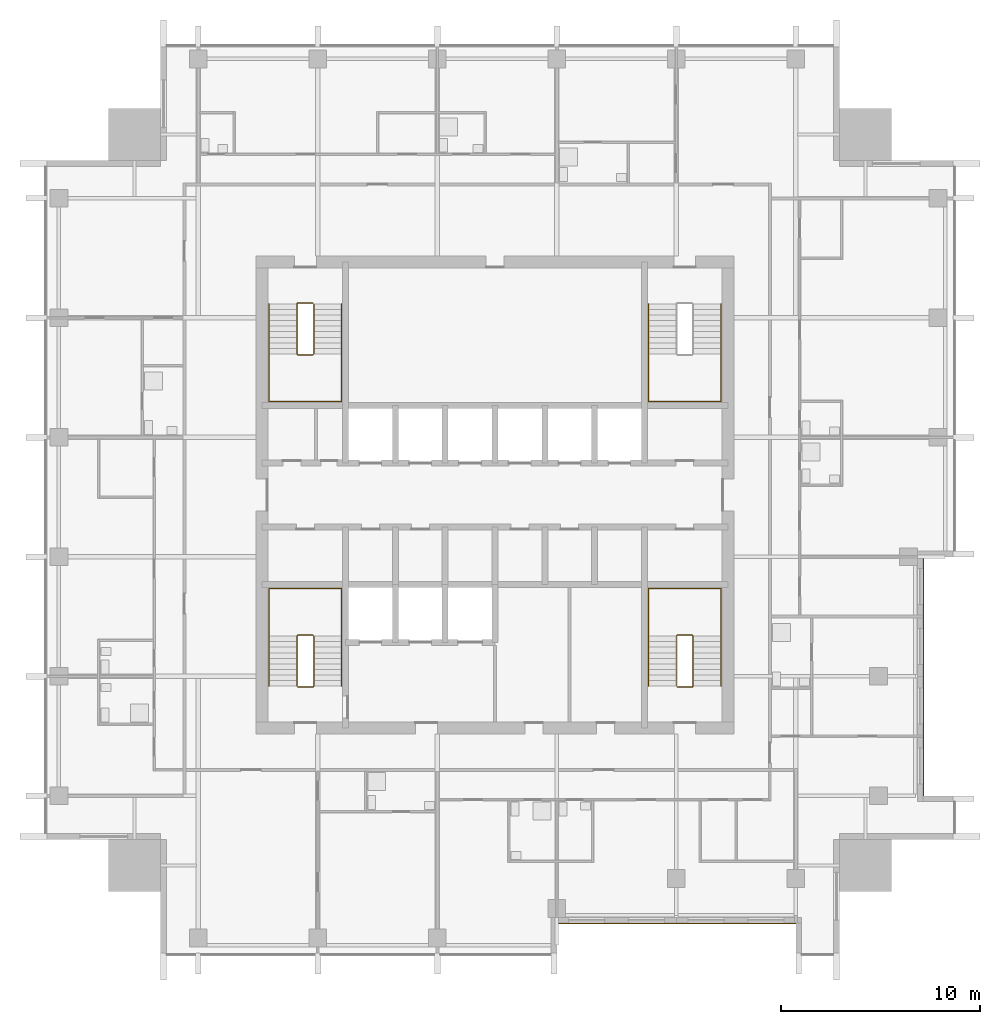
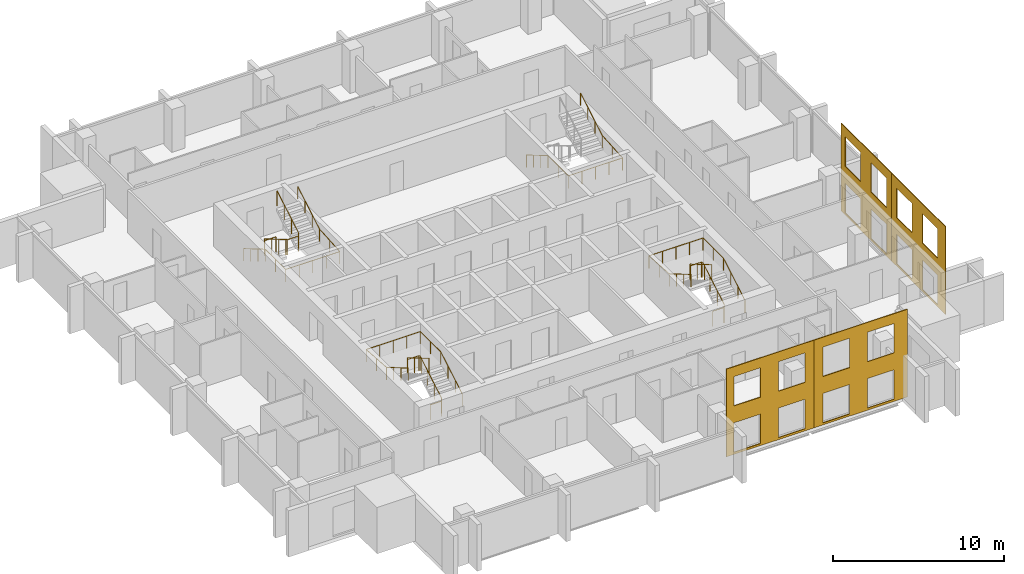
# One storey, part 9 of 11: 7 railings, 4 coverings.
"""IFC4 building model written with IfcOpenShell, lengths in metres."""

from ifc_helpers import new_model, si_unit, direction, frame, origin, origin_2d, place, context, subcontext, project, spatial, polyline, circle, outline, extrude, material, layer, layer_set, type_object, element, save


model = new_model("IFC4")

# Units and contexts
model_context = context("Model", 3, precision=1e-05, world=origin(), true_north=direction((0.0, 1.0)))
body_context = subcontext(model_context, "Body", "Model", "MODEL_VIEW")
ifc_project = project(units=[si_unit("LENGTHUNIT", "METRE"), si_unit("AREAUNIT", "SQUARE_METRE"), si_unit("VOLUMEUNIT", "CUBIC_METRE"), si_unit("PLANEANGLEUNIT", "RADIAN"), si_unit("MASSUNIT", "GRAM", prefix="KILO")], contexts=[model_context])

# Site, building, storey
site_placement = place(None, origin())
site = spatial("IfcSite", under=ifc_project, at=site_placement, CompositionType="ELEMENT")
building_placement = place(site_placement, origin())
building = spatial("IfcBuilding", under=site, at=building_placement, Name="Amberfall Residences", CompositionType="ELEMENT")
storey_placement = place(building_placement, frame((0.0, 0.0, 223.300048828125)))
storey = spatial("IfcBuildingStorey", under=building, at=storey_placement, Name="L60", CompositionType="ELEMENT", Elevation=223.300048828125)

# Coverings
ifc_material_1 = material(Name="Pale limestone cladding", Category="masonry")
ifc_layer = layer(ifc_material_1, 0.050048828125)
ifc_layer_set = layer_set([ifc_layer], Name="Limestone fascia 50")
covering_type = type_object("IfcCoveringType", Name="Limestone fascia 50", PredefinedType="CLADDING", material=ifc_layer_set)
covering_1_placement = place(storey_placement, frame((83.60009765625, 24.0, 6.25), z_axis=(0.0, 1.0, 0.0), x_axis=(1.0, 0.0, 0.0)))
element("IfcCovering", 1, at=covering_1_placement, inside=storey, type_object=covering_type, Name="Pale limestone cladding L60-L61 S", PredefinedType="CLADDING", context=body_context, shape_type="SweptSolid", body=[
    extrude(outline(polyline([(0.0, 0.0), (6.2998046875, 0.0), (6.2998046875, 6.25), (0.0, 6.25), (0.0, 0.0)]), holes=[polyline([(0.599853515625, 4.0), (2.39990234375, 4.0), (2.39990234375, 6.10009765625), (0.599853515625, 6.10009765625), (0.599853515625, 4.0)]), polyline([(3.599853515625, 4.0), (5.39990234375, 4.0), (5.39990234375, 6.10009765625), (3.599853515625, 6.10009765625), (3.599853515625, 4.0)]), polyline([(0.599853515625, 0.699951171875), (2.39990234375, 0.699951171875), (2.39990234375, 2.800048828125), (0.599853515625, 2.800048828125), (0.599853515625, 0.699951171875)]), polyline([(3.599853515625, 0.699951171875), (5.39990234375, 0.699951171875), (5.39990234375, 2.800048828125), (3.599853515625, 2.800048828125), (3.599853515625, 0.699951171875)])]), origin(), (0.0, 0.0, -1.0), 0.050048828125),
])
covering_2_placement = place(storey_placement, frame((96.0, 30.10009765625, 6.25), z_axis=(-1.0, 0.0, 0.0), x_axis=(0.0, 1.0, 0.0)))
element("IfcCovering", 2, at=covering_2_placement, inside=storey, type_object=covering_type, Name="Pale limestone cladding L60-L61 E", PredefinedType="CLADDING", context=body_context, shape_type="SweptSolid", body=[
    extrude(outline(polyline([(0.0, 0.0), (6.2998046875, 0.0), (6.2998046875, 6.25), (0.0, 6.25), (0.0, 0.0)]), holes=[polyline([(0.89990234375, 4.0), (2.699951171875, 4.0), (2.699951171875, 6.10009765625), (0.89990234375, 6.10009765625), (0.89990234375, 4.0)]), polyline([(3.89990234375, 4.0), (5.699951171875, 4.0), (5.699951171875, 6.10009765625), (3.89990234375, 6.10009765625), (3.89990234375, 4.0)]), polyline([(0.89990234375, 0.699951171875), (2.699951171875, 0.699951171875), (2.699951171875, 2.800048828125), (0.89990234375, 2.800048828125), (0.89990234375, 0.699951171875)]), polyline([(3.89990234375, 0.699951171875), (5.699951171875, 0.699951171875), (5.699951171875, 2.800048828125), (3.89990234375, 2.800048828125), (3.89990234375, 0.699951171875)])]), origin(), (0.0, 0.0, -1.0), 0.050048828125),
])
covering_3_placement = place(storey_placement, frame((77.68994140625, 24.0, 6.25), z_axis=(0.0, 1.0, 0.0), x_axis=(1.0, 0.0, 0.0)))
element("IfcCovering", 3, at=covering_3_placement, inside=storey, type_object=covering_type, Name="Pale limestone cladding L60-L61 S", PredefinedType="CLADDING", context=body_context, shape_type="SweptSolid", body=[
    extrude(outline(polyline([(0.0, 0.0), (5.91015625, 0.0), (5.91015625, 6.25), (0.0, 6.25), (0.0, 0.0)]), holes=[polyline([(0.510009765625, 4.0), (2.31005859375, 4.0), (2.31005859375, 6.10009765625), (0.510009765625, 6.10009765625), (0.510009765625, 4.0)]), polyline([(3.510009765625, 4.0), (5.31005859375, 4.0), (5.31005859375, 6.10009765625), (3.510009765625, 6.10009765625), (3.510009765625, 4.0)]), polyline([(0.510009765625, 0.699951171875), (2.31005859375, 0.699951171875), (2.31005859375, 2.800048828125), (0.510009765625, 2.800048828125), (0.510009765625, 0.699951171875)]), polyline([(3.510009765625, 0.699951171875), (5.31005859375, 0.699951171875), (5.31005859375, 2.800048828125), (3.510009765625, 2.800048828125), (3.510009765625, 0.699951171875)])]), origin(), (0.0, 0.0, -1.0), 0.050048828125),
])
covering_4_placement = place(storey_placement, frame((96.0, 36.39990234375, 6.25), z_axis=(-1.0, 0.0, 0.0), x_axis=(0.0, 1.0, 0.0)))
element("IfcCovering", 4, at=covering_4_placement, inside=storey, type_object=covering_type, Name="Pale limestone cladding L60-L61 E", PredefinedType="CLADDING", context=body_context, shape_type="SweptSolid", body=[
    extrude(outline(polyline([(0.0, 0.0), (5.91015625, 0.0), (5.91015625, 6.25), (0.0, 6.25), (0.0, 0.0)]), holes=[polyline([(0.60009765625, 4.0), (2.400146484375, 4.0), (2.400146484375, 6.10009765625), (0.60009765625, 6.10009765625), (0.60009765625, 4.0)]), polyline([(3.60009765625, 4.0), (5.400146484375, 4.0), (5.400146484375, 6.10009765625), (3.60009765625, 6.10009765625), (3.60009765625, 4.0)]), polyline([(0.60009765625, 0.699951171875), (2.400146484375, 0.699951171875), (2.400146484375, 2.800048828125), (0.60009765625, 2.800048828125), (0.60009765625, 0.699951171875)]), polyline([(3.60009765625, 0.699951171875), (5.400146484375, 0.699951171875), (5.400146484375, 2.800048828125), (3.60009765625, 2.800048828125), (3.60009765625, 0.699951171875)])]), origin(), (0.0, 0.0, -1.0), 0.050048828125),
])

# Railings
ifc_material_2 = material(Name="Stainless steel 316", Category="steel")
railing_type_1 = type_object("IfcRailingType", Name="Stair guard 1100", PredefinedType="GUARDRAIL", material=ifc_material_2)
railing_1_placement = place(storey_placement, frame((64.60009765625, 35.85009765625, 0.0)))
element("IfcRailing", 5, at=railing_1_placement, inside=storey, type_object=railing_type_1, Name="L60 stair 1 guard", PredefinedType="GUARDRAIL", context=body_context, shape_type="SweptSolid", body=[
    extrude(circle(Radius=0.02392578125, at=origin_2d()), frame((0.0, 0.0, 1.076171875), z_axis=(1.0, 0.0, 0.0), x_axis=(0.0, 1.0, 0.0)), (0.0, 0.0, 1.0), 0.75),
    extrude(circle(Radius=0.02392578125, at=origin_2d()), frame((0.75, 0.0, 1.076171875), z_axis=(0.27755538755, 0.27755538755, 0.919742362667), x_axis=(-0.707106781187, 0.707106781187, 0.0)), (0.0, 0.0, 1.0), 0.179443359375),
    extrude(circle(Radius=0.02392578125, at=origin_2d()), frame((0.7998046875, 0.0498046875, 1.2412109375), z_axis=(0.0, 0.861560626758, 0.507654692109), x_axis=(-1.0, 0.0, 0.0)), (0.0, 0.0, 1.0), 2.925048828125),
    extrude(circle(Radius=0.02392578125, at=origin_2d()), frame((0.7998046875, 2.56982421875, 2.72607421875), z_axis=(-0.705375805398, 0.708833529934, 0.0), x_axis=(-0.708833529934, -0.705375805398, 0.0)), (0.0, 0.0, 1.0), 0.070556640625),
    extrude(circle(Radius=0.02392578125, at=origin_2d()), frame((0.75, 2.619873046875, 2.72607421875), z_axis=(-1.0, 0.0, 0.0), x_axis=(0.0, -1.0, 0.0)), (0.0, 0.0, 1.0), 0.75),
    extrude(circle(Radius=0.02392578125, at=origin_2d()), frame((0.0, 2.619873046875, 2.72607421875), z_axis=(-0.278705021027, -0.278705021027, 0.919046801044), x_axis=(0.707106781187, -0.707106781187, 0.0)), (0.0, 0.0, 1.0), 0.1796875),
    extrude(circle(Radius=0.02392578125, at=origin_2d()), frame((-0.050048828125, 2.56982421875, 2.89111328125), z_axis=(0.0, -0.86152411907, 0.507716645641), x_axis=(1.0, 0.0, 0.0)), (0.0, 0.0, 1.0), 2.925048828125),
    extrude(circle(Radius=0.02099609375, at=origin_2d()), origin(), (0.0, 0.0, 1.0), 1.052001953125),
    extrude(circle(Radius=0.02099609375, at=origin_2d()), frame((0.75, 0.0, 0.0)), (0.0, 0.0, 1.0), 1.052001953125),
    extrude(circle(Radius=0.02099609375, at=origin_2d()), frame((0.7998046875, 0.0498046875, 0.1650390625)), (0.0, 0.0, 1.0), 1.052001953125),
    extrude(circle(Radius=0.02099609375, at=origin_2d()), frame((0.7998046875, 0.889892578125, 0.659912109375)), (0.0, 0.0, 1.0), 1.052001953125),
    extrude(circle(Radius=0.02099609375, at=origin_2d()), frame((0.7998046875, 1.729736328125, 1.155029296875)), (0.0, 0.0, 1.0), 1.052001953125),
    extrude(circle(Radius=0.02099609375, at=origin_2d()), frame((0.7998046875, 2.56982421875, 1.64990234375)), (0.0, 0.0, 1.0), 1.052001953125),
    extrude(circle(Radius=0.02099609375, at=origin_2d()), frame((0.75, 2.619873046875, 1.64990234375)), (0.0, 0.0, 1.0), 1.052001953125),
    extrude(circle(Radius=0.02099609375, at=origin_2d()), frame((0.0, 2.619873046875, 1.64990234375)), (0.0, 0.0, 1.0), 1.052001953125),
    extrude(circle(Radius=0.02099609375, at=origin_2d()), frame((-0.050048828125, 2.56982421875, 1.81494140625)), (0.0, 0.0, 1.0), 1.052001953125),
    extrude(circle(Radius=0.02099609375, at=origin_2d()), frame((-0.050048828125, 1.729736328125, 2.31005859375)), (0.0, 0.0, 1.0), 1.052001953125),
    extrude(circle(Radius=0.02099609375, at=origin_2d()), frame((-0.050048828125, 0.889892578125, 2.804931640625)), (0.0, 0.0, 1.0), 1.052001953125),
    extrude(circle(Radius=0.02099609375, at=origin_2d()), frame((-0.050048828125, 0.0498046875, 3.300048828125)), (0.0, 0.0, 1.0), 1.052001953125),
])
railing_2_placement = place(storey_placement, frame((83.64990234375, 35.85009765625, 0.0)))
element("IfcRailing", 6, at=railing_2_placement, inside=storey, type_object=railing_type_1, Name="L60 stair 2 guard", PredefinedType="GUARDRAIL", context=body_context, shape_type="SweptSolid", body=[
    extrude(circle(Radius=0.02392578125, at=origin_2d()), frame((0.0, 0.0, 1.076171875), z_axis=(1.0, 0.0, 0.0), x_axis=(0.0, 1.0, 0.0)), (0.0, 0.0, 1.0), 0.75),
    extrude(circle(Radius=0.02392578125, at=origin_2d()), frame((0.75, 0.0, 1.076171875), z_axis=(0.278810427259, 0.277450376394, 0.919394384522), x_axis=(-0.705375805398, 0.708833529934, 0.0)), (0.0, 0.0, 1.0), 0.179443359375),
    extrude(circle(Radius=0.02392578125, at=origin_2d()), frame((0.800048828125, 0.0498046875, 1.2412109375), z_axis=(0.0, 0.861560626758, 0.507654692109), x_axis=(-1.0, 0.0, 0.0)), (0.0, 0.0, 1.0), 2.925048828125),
    extrude(circle(Radius=0.02392578125, at=origin_2d()), frame((0.800048828125, 2.56982421875, 2.72607421875), z_axis=(-0.707106781187, 0.707106781187, 0.0), x_axis=(-0.707106781187, -0.707106781187, 0.0)), (0.0, 0.0, 1.0), 0.07080078125),
    extrude(circle(Radius=0.02392578125, at=origin_2d()), frame((0.75, 2.619873046875, 2.72607421875), z_axis=(-1.0, 0.0, 0.0), x_axis=(0.0, -1.0, 0.0)), (0.0, 0.0, 1.0), 0.75),
    extrude(circle(Radius=0.02392578125, at=origin_2d()), frame((0.0, 2.619873046875, 2.72607421875), z_axis=(-0.277450376394, -0.278810427259, 0.919394384522), x_axis=(0.708833529934, -0.705375805398, 0.0)), (0.0, 0.0, 1.0), 0.179443359375),
    extrude(circle(Radius=0.02392578125, at=origin_2d()), frame((-0.0498046875, 2.56982421875, 2.89111328125), z_axis=(0.0, -0.86152411907, 0.507716645641), x_axis=(1.0, 0.0, 0.0)), (0.0, 0.0, 1.0), 2.925048828125),
    extrude(circle(Radius=0.02099609375, at=origin_2d()), origin(), (0.0, 0.0, 1.0), 1.052001953125),
    extrude(circle(Radius=0.02099609375, at=origin_2d()), frame((0.75, 0.0, 0.0)), (0.0, 0.0, 1.0), 1.052001953125),
    extrude(circle(Radius=0.02099609375, at=origin_2d()), frame((0.800048828125, 0.0498046875, 0.1650390625)), (0.0, 0.0, 1.0), 1.052001953125),
    extrude(circle(Radius=0.02099609375, at=origin_2d()), frame((0.800048828125, 0.889892578125, 0.659912109375)), (0.0, 0.0, 1.0), 1.052001953125),
    extrude(circle(Radius=0.02099609375, at=origin_2d()), frame((0.800048828125, 1.729736328125, 1.155029296875)), (0.0, 0.0, 1.0), 1.052001953125),
    extrude(circle(Radius=0.02099609375, at=origin_2d()), frame((0.800048828125, 2.56982421875, 1.64990234375)), (0.0, 0.0, 1.0), 1.052001953125),
    extrude(circle(Radius=0.02099609375, at=origin_2d()), frame((0.75, 2.619873046875, 1.64990234375)), (0.0, 0.0, 1.0), 1.052001953125),
    extrude(circle(Radius=0.02099609375, at=origin_2d()), frame((0.0, 2.619873046875, 1.64990234375)), (0.0, 0.0, 1.0), 1.052001953125),
    extrude(circle(Radius=0.02099609375, at=origin_2d()), frame((-0.0498046875, 2.56982421875, 1.81494140625)), (0.0, 0.0, 1.0), 1.052001953125),
    extrude(circle(Radius=0.02099609375, at=origin_2d()), frame((-0.0498046875, 1.729736328125, 2.31005859375)), (0.0, 0.0, 1.0), 1.052001953125),
    extrude(circle(Radius=0.02099609375, at=origin_2d()), frame((-0.0498046875, 0.889892578125, 2.804931640625)), (0.0, 0.0, 1.0), 1.052001953125),
    extrude(circle(Radius=0.02099609375, at=origin_2d()), frame((-0.0498046875, 0.0498046875, 3.300048828125)), (0.0, 0.0, 1.0), 1.052001953125),
])
railing_3_placement = place(storey_placement, frame((65.35009765625, 55.14990234375, 0.0)))
element("IfcRailing", 7, at=railing_3_placement, inside=storey, type_object=railing_type_1, Name="L60 stair 4 guard", PredefinedType="GUARDRAIL", context=body_context, shape_type="SweptSolid", body=[
    extrude(circle(Radius=0.02392578125, at=origin_2d()), frame((0.0, 0.0, 1.076171875), z_axis=(-1.0, 0.0, 0.0), x_axis=(0.0, -1.0, 0.0)), (0.0, 0.0, 1.0), 0.75),
    extrude(circle(Radius=0.02392578125, at=origin_2d()), frame((-0.75, 0.0, 1.076171875), z_axis=(-0.278810427259, -0.277450376394, 0.919394384522), x_axis=(0.705375805398, -0.708833529934, 0.0)), (0.0, 0.0, 1.0), 0.179443359375),
    extrude(circle(Radius=0.02392578125, at=origin_2d()), frame((-0.800048828125, -0.0498046875, 1.2412109375), z_axis=(0.0, -0.861560626758, 0.507654692109), x_axis=(1.0, 0.0, 0.0)), (0.0, 0.0, 1.0), 2.925048828125),
    extrude(circle(Radius=0.02392578125, at=origin_2d()), frame((-0.800048828125, -2.56982421875, 2.72607421875), z_axis=(0.707106781187, -0.707106781187, 0.0), x_axis=(0.707106781187, 0.707106781187, 0.0)), (0.0, 0.0, 1.0), 0.07080078125),
    extrude(circle(Radius=0.02392578125, at=origin_2d()), frame((-0.75, -2.619873046875, 2.72607421875), z_axis=(1.0, 0.0, 0.0), x_axis=(0.0, 1.0, 0.0)), (0.0, 0.0, 1.0), 0.75),
    extrude(circle(Radius=0.02392578125, at=origin_2d()), frame((0.0, -2.619873046875, 2.72607421875), z_axis=(0.277450376394, 0.278810427259, 0.919394384522), x_axis=(-0.708833529934, 0.705375805398, 0.0)), (0.0, 0.0, 1.0), 0.179443359375),
    extrude(circle(Radius=0.02392578125, at=origin_2d()), frame((0.0498046875, -2.56982421875, 2.89111328125), z_axis=(0.0, 0.86152411907, 0.507716645641), x_axis=(-1.0, 0.0, 0.0)), (0.0, 0.0, 1.0), 2.925048828125),
    extrude(circle(Radius=0.02099609375, at=origin_2d()), origin(), (0.0, 0.0, 1.0), 1.052001953125),
    extrude(circle(Radius=0.02099609375, at=origin_2d()), frame((-0.75, 0.0, 0.0)), (0.0, 0.0, 1.0), 1.052001953125),
    extrude(circle(Radius=0.02099609375, at=origin_2d()), frame((-0.800048828125, -0.0498046875, 0.1650390625)), (0.0, 0.0, 1.0), 1.052001953125),
    extrude(circle(Radius=0.02099609375, at=origin_2d()), frame((-0.800048828125, -0.889892578125, 0.659912109375)), (0.0, 0.0, 1.0), 1.052001953125),
    extrude(circle(Radius=0.02099609375, at=origin_2d()), frame((-0.800048828125, -1.729736328125, 1.155029296875)), (0.0, 0.0, 1.0), 1.052001953125),
    extrude(circle(Radius=0.02099609375, at=origin_2d()), frame((-0.800048828125, -2.56982421875, 1.64990234375)), (0.0, 0.0, 1.0), 1.052001953125),
    extrude(circle(Radius=0.02099609375, at=origin_2d()), frame((-0.75, -2.619873046875, 1.64990234375)), (0.0, 0.0, 1.0), 1.052001953125),
    extrude(circle(Radius=0.02099609375, at=origin_2d()), frame((0.0, -2.619873046875, 1.64990234375)), (0.0, 0.0, 1.0), 1.052001953125),
    extrude(circle(Radius=0.02099609375, at=origin_2d()), frame((0.0498046875, -2.56982421875, 1.81494140625)), (0.0, 0.0, 1.0), 1.052001953125),
    extrude(circle(Radius=0.02099609375, at=origin_2d()), frame((0.0498046875, -1.729736328125, 2.31005859375)), (0.0, 0.0, 1.0), 1.052001953125),
    extrude(circle(Radius=0.02099609375, at=origin_2d()), frame((0.0498046875, -0.889892578125, 2.804931640625)), (0.0, 0.0, 1.0), 1.052001953125),
    extrude(circle(Radius=0.02099609375, at=origin_2d()), frame((0.0498046875, -0.0498046875, 3.300048828125)), (0.0, 0.0, 1.0), 1.052001953125),
])
railing_type_2 = type_object("IfcRailingType", Name="Stair handrail 900", PredefinedType="HANDRAIL", material=ifc_material_2)
railing_4_placement = place(storey_placement, frame((66.800048828125, 35.89990234375, 0.1650390625)))
element("IfcRailing", 8, at=railing_4_placement, inside=storey, type_object=railing_type_2, Name="L60 stair 1 handrail", PredefinedType="HANDRAIL", context=body_context, shape_type="SweptSolid", body=[
    extrude(circle(Radius=0.02392578125, at=origin_2d()), frame((0.0, 0.0, 0.8759765625), z_axis=(0.0, 0.861560626758, 0.507654692109), x_axis=(-1.0, 0.0, 0.0)), (0.0, 0.0, 1.0), 2.925048828125),
    extrude(circle(Radius=0.02392578125, at=origin_2d()), frame((0.0, 2.52001953125, 2.36083984375), z_axis=(0.0, 1.0, 0.0), x_axis=(-1.0, 0.0, 0.0)), (0.0, 0.0, 1.0), 2.380126953125),
    extrude(circle(Radius=0.02392578125, at=origin_2d()), frame((0.0, 4.900146484375, 2.36083984375), z_axis=(-1.0, 0.0, 0.0), x_axis=(0.0, -1.0, 0.0)), (0.0, 0.0, 1.0), 3.650146484375),
    extrude(circle(Radius=0.02392578125, at=origin_2d()), frame((-3.650146484375, 4.900146484375, 2.36083984375), z_axis=(0.0, -0.997604585917, 0.069174346095), x_axis=(1.0, 0.0, 0.0)), (0.0, 0.0, 1.0), 2.3857421875),
    extrude(circle(Radius=0.02392578125, at=origin_2d()), frame((-3.650146484375, 2.52001953125, 2.52587890625), z_axis=(0.0, -0.86152411907, 0.507716645641), x_axis=(1.0, 0.0, 0.0)), (0.0, 0.0, 1.0), 2.925048828125),
    extrude(circle(Radius=0.02099609375, at=origin_2d()), origin(), (0.0, 0.0, 1.0), 0.851806640625),
    extrude(circle(Radius=0.02099609375, at=origin_2d()), frame((0.0, 0.840087890625, 0.494873046875)), (0.0, 0.0, 1.0), 0.851806640625),
    extrude(circle(Radius=0.02099609375, at=origin_2d()), frame((0.0, 1.679931640625, 0.989990234375)), (0.0, 0.0, 1.0), 0.851806640625),
    extrude(circle(Radius=0.02099609375, at=origin_2d()), frame((0.0, 2.52001953125, 1.48486328125)), (0.0, 0.0, 1.0), 0.851806640625),
    extrude(circle(Radius=0.02099609375, at=origin_2d()), frame((0.0, 3.7099609375, 1.48486328125)), (0.0, 0.0, 1.0), 0.851806640625),
    extrude(circle(Radius=0.02099609375, at=origin_2d()), frame((0.0, 4.900146484375, 1.48486328125)), (0.0, 0.0, 1.0), 0.851806640625),
    extrude(circle(Radius=0.02099609375, at=origin_2d()), frame((-0.91259765625, 4.900146484375, 1.48486328125)), (0.0, 0.0, 1.0), 0.851806640625),
    extrude(circle(Radius=0.02099609375, at=origin_2d()), frame((-1.8251953125, 4.900146484375, 1.48486328125)), (0.0, 0.0, 1.0), 0.851806640625),
    extrude(circle(Radius=0.02099609375, at=origin_2d()), frame((-2.737548828125, 4.900146484375, 1.48486328125)), (0.0, 0.0, 1.0), 0.851806640625),
    extrude(circle(Radius=0.02099609375, at=origin_2d()), frame((-3.650146484375, 4.900146484375, 1.48486328125)), (0.0, 0.0, 1.0), 0.851806640625),
    extrude(circle(Radius=0.02099609375, at=origin_2d()), frame((-3.650146484375, 3.7099609375, 1.5673828125)), (0.0, 0.0, 1.0), 0.851806640625),
    extrude(circle(Radius=0.02099609375, at=origin_2d()), frame((-3.650146484375, 2.52001953125, 1.64990234375)), (0.0, 0.0, 1.0), 0.851806640625),
    extrude(circle(Radius=0.02099609375, at=origin_2d()), frame((-3.650146484375, 1.679931640625, 2.14501953125)), (0.0, 0.0, 1.0), 0.851806640625),
    extrude(circle(Radius=0.02099609375, at=origin_2d()), frame((-3.650146484375, 0.840087890625, 2.639892578125)), (0.0, 0.0, 1.0), 0.851806640625),
    extrude(circle(Radius=0.02099609375, at=origin_2d()), frame((-3.650146484375, 0.0, 3.135009765625)), (0.0, 0.0, 1.0), 0.851806640625),
])
railing_5_placement = place(storey_placement, frame((85.85009765625, 35.89990234375, 0.1650390625)))
element("IfcRailing", 9, at=railing_5_placement, inside=storey, type_object=railing_type_2, Name="L60 stair 2 handrail", PredefinedType="HANDRAIL", context=body_context, shape_type="SweptSolid", body=[
    extrude(circle(Radius=0.02392578125, at=origin_2d()), frame((0.0, 0.0, 0.8759765625), z_axis=(0.0, 0.861560626758, 0.507654692109), x_axis=(-1.0, 0.0, 0.0)), (0.0, 0.0, 1.0), 2.925048828125),
    extrude(circle(Radius=0.02392578125, at=origin_2d()), frame((0.0, 2.52001953125, 2.36083984375), z_axis=(0.0, 1.0, 0.0), x_axis=(-1.0, 0.0, 0.0)), (0.0, 0.0, 1.0), 2.380126953125),
    extrude(circle(Radius=0.02392578125, at=origin_2d()), frame((0.0, 4.900146484375, 2.36083984375), z_axis=(-1.0, 0.0, 0.0), x_axis=(0.0, -1.0, 0.0)), (0.0, 0.0, 1.0), 3.650146484375),
    extrude(circle(Radius=0.02392578125, at=origin_2d()), frame((-3.650146484375, 4.900146484375, 2.36083984375), z_axis=(0.0, -0.997604585917, 0.069174346095), x_axis=(1.0, 0.0, 0.0)), (0.0, 0.0, 1.0), 2.3857421875),
    extrude(circle(Radius=0.02392578125, at=origin_2d()), frame((-3.650146484375, 2.52001953125, 2.52587890625), z_axis=(0.0, -0.86152411907, 0.507716645641), x_axis=(1.0, 0.0, 0.0)), (0.0, 0.0, 1.0), 2.925048828125),
    extrude(circle(Radius=0.02099609375, at=origin_2d()), origin(), (0.0, 0.0, 1.0), 0.851806640625),
    extrude(circle(Radius=0.02099609375, at=origin_2d()), frame((0.0, 0.840087890625, 0.494873046875)), (0.0, 0.0, 1.0), 0.851806640625),
    extrude(circle(Radius=0.02099609375, at=origin_2d()), frame((0.0, 1.679931640625, 0.989990234375)), (0.0, 0.0, 1.0), 0.851806640625),
    extrude(circle(Radius=0.02099609375, at=origin_2d()), frame((0.0, 2.52001953125, 1.48486328125)), (0.0, 0.0, 1.0), 0.851806640625),
    extrude(circle(Radius=0.02099609375, at=origin_2d()), frame((0.0, 3.7099609375, 1.48486328125)), (0.0, 0.0, 1.0), 0.851806640625),
    extrude(circle(Radius=0.02099609375, at=origin_2d()), frame((0.0, 4.900146484375, 1.48486328125)), (0.0, 0.0, 1.0), 0.851806640625),
    extrude(circle(Radius=0.02099609375, at=origin_2d()), frame((-0.91259765625, 4.900146484375, 1.48486328125)), (0.0, 0.0, 1.0), 0.851806640625),
    extrude(circle(Radius=0.02099609375, at=origin_2d()), frame((-1.8251953125, 4.900146484375, 1.48486328125)), (0.0, 0.0, 1.0), 0.851806640625),
    extrude(circle(Radius=0.02099609375, at=origin_2d()), frame((-2.737548828125, 4.900146484375, 1.48486328125)), (0.0, 0.0, 1.0), 0.851806640625),
    extrude(circle(Radius=0.02099609375, at=origin_2d()), frame((-3.650146484375, 4.900146484375, 1.48486328125)), (0.0, 0.0, 1.0), 0.851806640625),
    extrude(circle(Radius=0.02099609375, at=origin_2d()), frame((-3.650146484375, 3.7099609375, 1.5673828125)), (0.0, 0.0, 1.0), 0.851806640625),
    extrude(circle(Radius=0.02099609375, at=origin_2d()), frame((-3.650146484375, 2.52001953125, 1.64990234375)), (0.0, 0.0, 1.0), 0.851806640625),
    extrude(circle(Radius=0.02099609375, at=origin_2d()), frame((-3.650146484375, 1.679931640625, 2.14501953125)), (0.0, 0.0, 1.0), 0.851806640625),
    extrude(circle(Radius=0.02099609375, at=origin_2d()), frame((-3.650146484375, 0.840087890625, 2.639892578125)), (0.0, 0.0, 1.0), 0.851806640625),
    extrude(circle(Radius=0.02099609375, at=origin_2d()), frame((-3.650146484375, 0.0, 3.135009765625)), (0.0, 0.0, 1.0), 0.851806640625),
])
railing_6_placement = place(storey_placement, frame((82.199951171875, 55.10009765625, 0.1650390625)))
element("IfcRailing", 10, at=railing_6_placement, inside=storey, type_object=railing_type_2, Name="L60 stair 3 handrail", PredefinedType="HANDRAIL", context=body_context, shape_type="SweptSolid", body=[
    extrude(circle(Radius=0.02392578125, at=origin_2d()), frame((0.0, 0.0, 0.8759765625), z_axis=(0.0, -0.861560626758, 0.507654692109), x_axis=(1.0, 0.0, 0.0)), (0.0, 0.0, 1.0), 2.925048828125),
    extrude(circle(Radius=0.02392578125, at=origin_2d()), frame((0.0, -2.52001953125, 2.36083984375), z_axis=(0.0, -1.0, 0.0), x_axis=(1.0, 0.0, 0.0)), (0.0, 0.0, 1.0), 2.380126953125),
    extrude(circle(Radius=0.02392578125, at=origin_2d()), frame((0.0, -4.900146484375, 2.36083984375), z_axis=(1.0, 0.0, 0.0), x_axis=(0.0, 1.0, 0.0)), (0.0, 0.0, 1.0), 3.650146484375),
    extrude(circle(Radius=0.02392578125, at=origin_2d()), frame((3.650146484375, -4.900146484375, 2.36083984375), z_axis=(0.0, 0.997604585917, 0.069174346095), x_axis=(-1.0, 0.0, 0.0)), (0.0, 0.0, 1.0), 2.3857421875),
    extrude(circle(Radius=0.02392578125, at=origin_2d()), frame((3.650146484375, -2.52001953125, 2.52587890625), z_axis=(0.0, 0.86152411907, 0.507716645641), x_axis=(-1.0, 0.0, 0.0)), (0.0, 0.0, 1.0), 2.925048828125),
    extrude(circle(Radius=0.02099609375, at=origin_2d()), origin(), (0.0, 0.0, 1.0), 0.851806640625),
    extrude(circle(Radius=0.02099609375, at=origin_2d()), frame((0.0, -0.840087890625, 0.494873046875)), (0.0, 0.0, 1.0), 0.851806640625),
    extrude(circle(Radius=0.02099609375, at=origin_2d()), frame((0.0, -1.679931640625, 0.989990234375)), (0.0, 0.0, 1.0), 0.851806640625),
    extrude(circle(Radius=0.02099609375, at=origin_2d()), frame((0.0, -2.52001953125, 1.48486328125)), (0.0, 0.0, 1.0), 0.851806640625),
    extrude(circle(Radius=0.02099609375, at=origin_2d()), frame((0.0, -3.7099609375, 1.48486328125)), (0.0, 0.0, 1.0), 0.851806640625),
    extrude(circle(Radius=0.02099609375, at=origin_2d()), frame((0.0, -4.900146484375, 1.48486328125)), (0.0, 0.0, 1.0), 0.851806640625),
    extrude(circle(Radius=0.02099609375, at=origin_2d()), frame((0.91259765625, -4.900146484375, 1.48486328125)), (0.0, 0.0, 1.0), 0.851806640625),
    extrude(circle(Radius=0.02099609375, at=origin_2d()), frame((1.8251953125, -4.900146484375, 1.48486328125)), (0.0, 0.0, 1.0), 0.851806640625),
    extrude(circle(Radius=0.02099609375, at=origin_2d()), frame((2.737548828125, -4.900146484375, 1.48486328125)), (0.0, 0.0, 1.0), 0.851806640625),
    extrude(circle(Radius=0.02099609375, at=origin_2d()), frame((3.650146484375, -4.900146484375, 1.48486328125)), (0.0, 0.0, 1.0), 0.851806640625),
    extrude(circle(Radius=0.02099609375, at=origin_2d()), frame((3.650146484375, -3.7099609375, 1.5673828125)), (0.0, 0.0, 1.0), 0.851806640625),
    extrude(circle(Radius=0.02099609375, at=origin_2d()), frame((3.650146484375, -2.52001953125, 1.64990234375)), (0.0, 0.0, 1.0), 0.851806640625),
    extrude(circle(Radius=0.02099609375, at=origin_2d()), frame((3.650146484375, -1.679931640625, 2.14501953125)), (0.0, 0.0, 1.0), 0.851806640625),
    extrude(circle(Radius=0.02099609375, at=origin_2d()), frame((3.650146484375, -0.840087890625, 2.639892578125)), (0.0, 0.0, 1.0), 0.851806640625),
    extrude(circle(Radius=0.02099609375, at=origin_2d()), frame((3.650146484375, 0.0, 3.135009765625)), (0.0, 0.0, 1.0), 0.851806640625),
])
railing_7_placement = place(storey_placement, frame((63.14990234375, 55.10009765625, 0.1650390625)))
element("IfcRailing", 11, at=railing_7_placement, inside=storey, type_object=railing_type_2, Name="L60 stair 4 handrail", PredefinedType="HANDRAIL", context=body_context, shape_type="SweptSolid", body=[
    extrude(circle(Radius=0.02392578125, at=origin_2d()), frame((0.0, 0.0, 0.8759765625), z_axis=(0.0, -0.861560626758, 0.507654692109), x_axis=(1.0, 0.0, 0.0)), (0.0, 0.0, 1.0), 2.925048828125),
    extrude(circle(Radius=0.02392578125, at=origin_2d()), frame((0.0, -2.52001953125, 2.36083984375), z_axis=(0.0, -1.0, 0.0), x_axis=(1.0, 0.0, 0.0)), (0.0, 0.0, 1.0), 2.380126953125),
    extrude(circle(Radius=0.02392578125, at=origin_2d()), frame((0.0, -4.900146484375, 2.36083984375), z_axis=(1.0, 0.0, 0.0), x_axis=(0.0, 1.0, 0.0)), (0.0, 0.0, 1.0), 3.650146484375),
    extrude(circle(Radius=0.02392578125, at=origin_2d()), frame((3.650146484375, -4.900146484375, 2.36083984375), z_axis=(0.0, 0.997604585917, 0.069174346095), x_axis=(-1.0, 0.0, 0.0)), (0.0, 0.0, 1.0), 2.3857421875),
    extrude(circle(Radius=0.02392578125, at=origin_2d()), frame((3.650146484375, -2.52001953125, 2.52587890625), z_axis=(0.0, 0.86152411907, 0.507716645641), x_axis=(-1.0, 0.0, 0.0)), (0.0, 0.0, 1.0), 2.925048828125),
    extrude(circle(Radius=0.02099609375, at=origin_2d()), origin(), (0.0, 0.0, 1.0), 0.851806640625),
    extrude(circle(Radius=0.02099609375, at=origin_2d()), frame((0.0, -0.840087890625, 0.494873046875)), (0.0, 0.0, 1.0), 0.851806640625),
    extrude(circle(Radius=0.02099609375, at=origin_2d()), frame((0.0, -1.679931640625, 0.989990234375)), (0.0, 0.0, 1.0), 0.851806640625),
    extrude(circle(Radius=0.02099609375, at=origin_2d()), frame((0.0, -2.52001953125, 1.48486328125)), (0.0, 0.0, 1.0), 0.851806640625),
    extrude(circle(Radius=0.02099609375, at=origin_2d()), frame((0.0, -3.7099609375, 1.48486328125)), (0.0, 0.0, 1.0), 0.851806640625),
    extrude(circle(Radius=0.02099609375, at=origin_2d()), frame((0.0, -4.900146484375, 1.48486328125)), (0.0, 0.0, 1.0), 0.851806640625),
    extrude(circle(Radius=0.02099609375, at=origin_2d()), frame((0.91259765625, -4.900146484375, 1.48486328125)), (0.0, 0.0, 1.0), 0.851806640625),
    extrude(circle(Radius=0.02099609375, at=origin_2d()), frame((1.8251953125, -4.900146484375, 1.48486328125)), (0.0, 0.0, 1.0), 0.851806640625),
    extrude(circle(Radius=0.02099609375, at=origin_2d()), frame((2.737548828125, -4.900146484375, 1.48486328125)), (0.0, 0.0, 1.0), 0.851806640625),
    extrude(circle(Radius=0.02099609375, at=origin_2d()), frame((3.650146484375, -4.900146484375, 1.48486328125)), (0.0, 0.0, 1.0), 0.851806640625),
    extrude(circle(Radius=0.02099609375, at=origin_2d()), frame((3.650146484375, -3.7099609375, 1.5673828125)), (0.0, 0.0, 1.0), 0.851806640625),
    extrude(circle(Radius=0.02099609375, at=origin_2d()), frame((3.650146484375, -2.52001953125, 1.64990234375)), (0.0, 0.0, 1.0), 0.851806640625),
    extrude(circle(Radius=0.02099609375, at=origin_2d()), frame((3.650146484375, -1.679931640625, 2.14501953125)), (0.0, 0.0, 1.0), 0.851806640625),
    extrude(circle(Radius=0.02099609375, at=origin_2d()), frame((3.650146484375, -0.840087890625, 2.639892578125)), (0.0, 0.0, 1.0), 0.851806640625),
    extrude(circle(Radius=0.02099609375, at=origin_2d()), frame((3.650146484375, 0.0, 3.135009765625)), (0.0, 0.0, 1.0), 0.851806640625),
])

save(model, "model.ifc")
